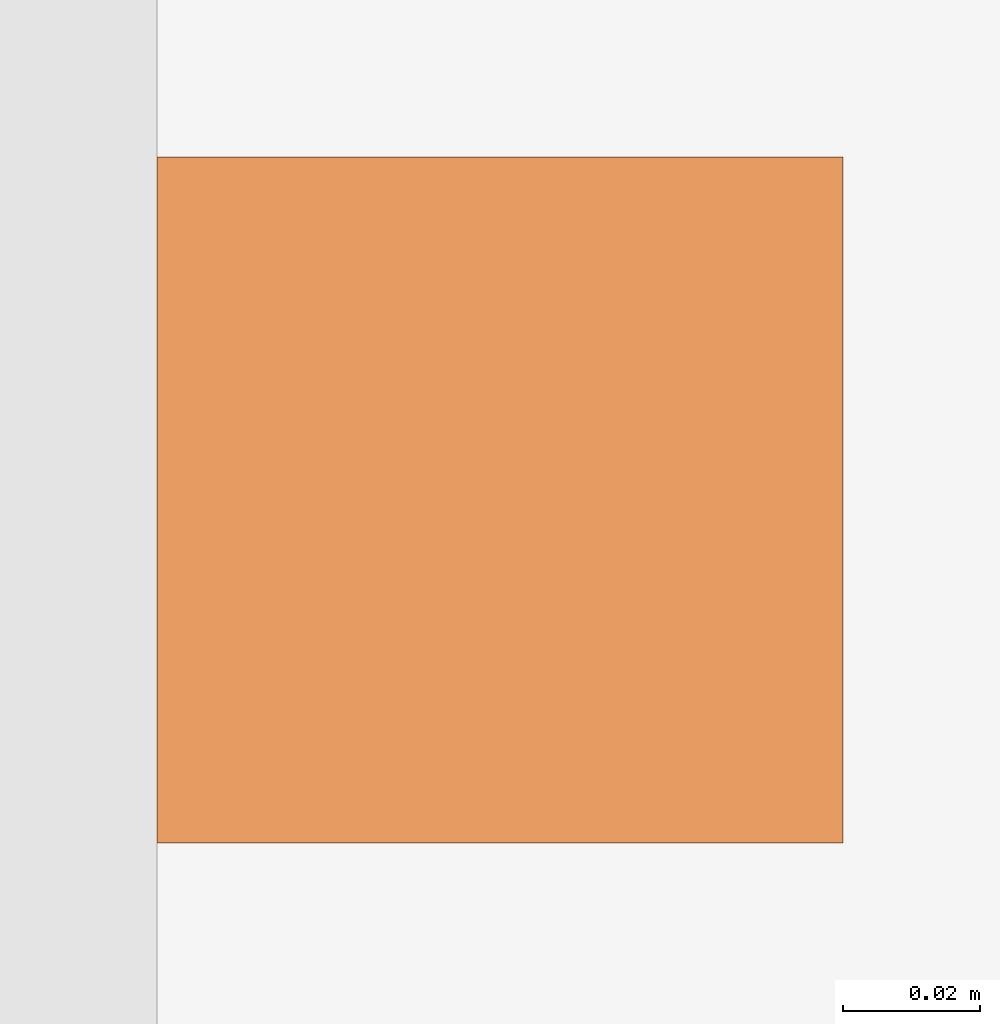
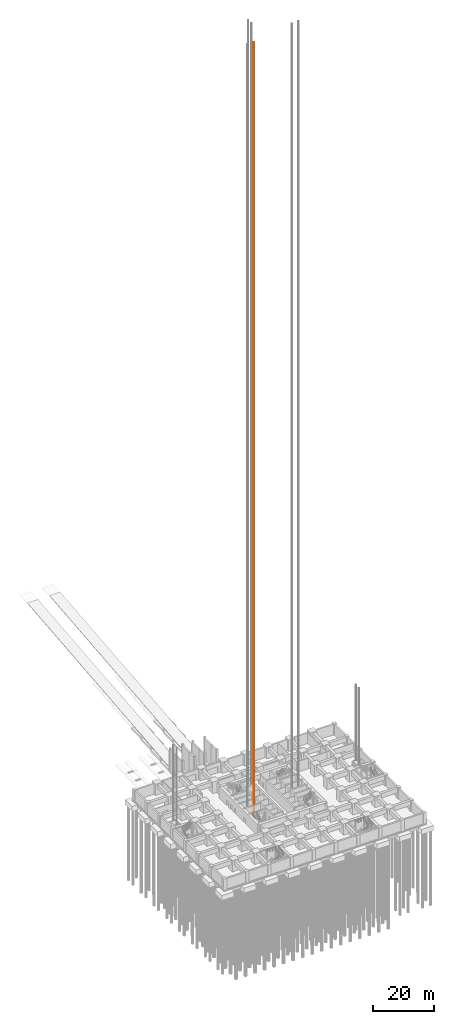
# One storey, part 23 of 28: 1 proxy.
"""IFC4 building model written with IfcOpenShell, lengths in metres."""

from ifc_helpers import new_model, si_unit, direction, frame, origin, origin_2d, place, context, subcontext, project, spatial, rectangle, extrude, material, type_object, element, save


model = new_model("IFC4")

# Units and contexts
model_context = context("Model", 3, precision=1e-05, world=origin(), true_north=direction((0.0, 1.0)))
body_context = subcontext(model_context, "Body", "Model", "MODEL_VIEW")
ifc_project = project(units=[si_unit("LENGTHUNIT", "METRE"), si_unit("AREAUNIT", "SQUARE_METRE"), si_unit("VOLUMEUNIT", "CUBIC_METRE"), si_unit("PLANEANGLEUNIT", "RADIAN"), si_unit("MASSUNIT", "GRAM", prefix="KILO")], contexts=[model_context])

# Site, building, storey
site_placement = place(None, origin())
site = spatial("IfcSite", under=ifc_project, at=site_placement, CompositionType="ELEMENT")
building_placement = place(site_placement, origin())
building = spatial("IfcBuilding", under=site, at=building_placement, Name="Rekha Terrace Tower", CompositionType="ELEMENT")
storey_placement = place(building_placement, frame((0.0, 0.0, -9.89990234375)))
storey = spatial("IfcBuildingStorey", under=building, at=storey_placement, Name="B-02", CompositionType="ELEMENT", Elevation=-9.89990234375)

# Proxy
ifc_material = material(Name="Steel guide rail", Category="steel")
building_element_proxy_type = type_object("IfcBuildingElementProxyType", Name="LR1 100 lift guide rail", PredefinedType="ELEMENT", material=ifc_material)
proxy_placement = place(storey_placement, frame((29.75, 32.14990234375, 0.0), z_axis=(0.0, 0.0, 1.0), x_axis=(1.0, 0.0, 0.0)))
element("IfcBuildingElementProxy", 1, at=proxy_placement, inside=storey, type_object=building_element_proxy_type, Name="Lift FL1 guide rail 2", PredefinedType="ELEMENT", context=body_context, shape_type="SweptSolid", body=[
    extrude(rectangle(XDim=0.10009765625, YDim=0.10009765625, at=origin_2d()), origin(), (0.0, 0.0, 1.0), 309.050048828125),
])

save(model, "model.ifc")
